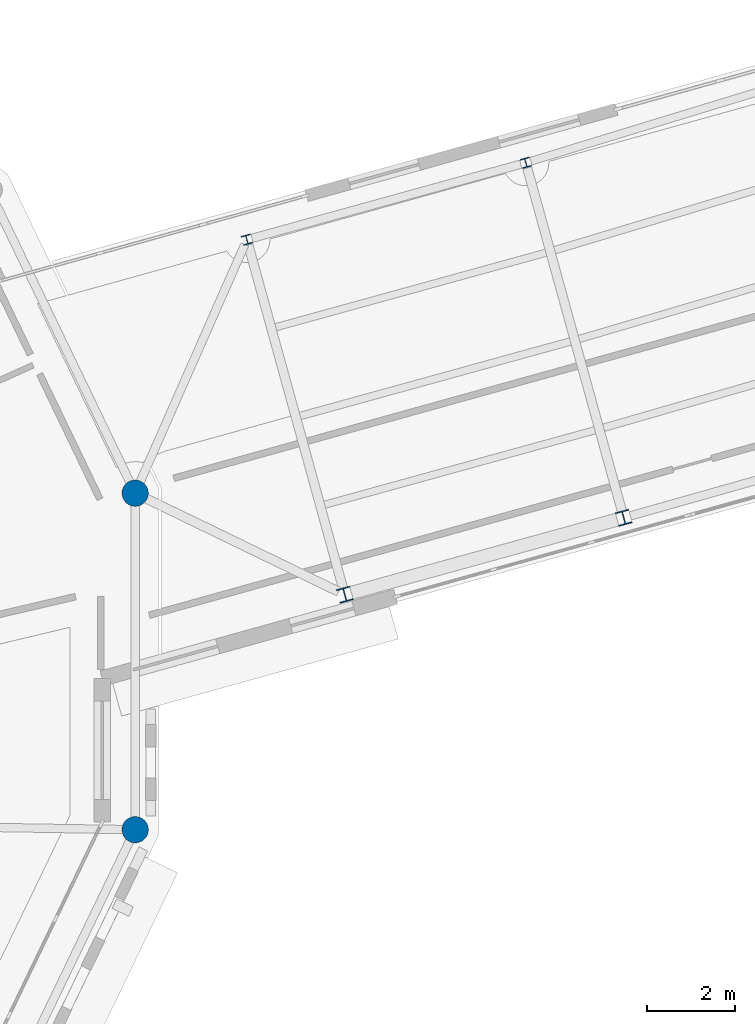
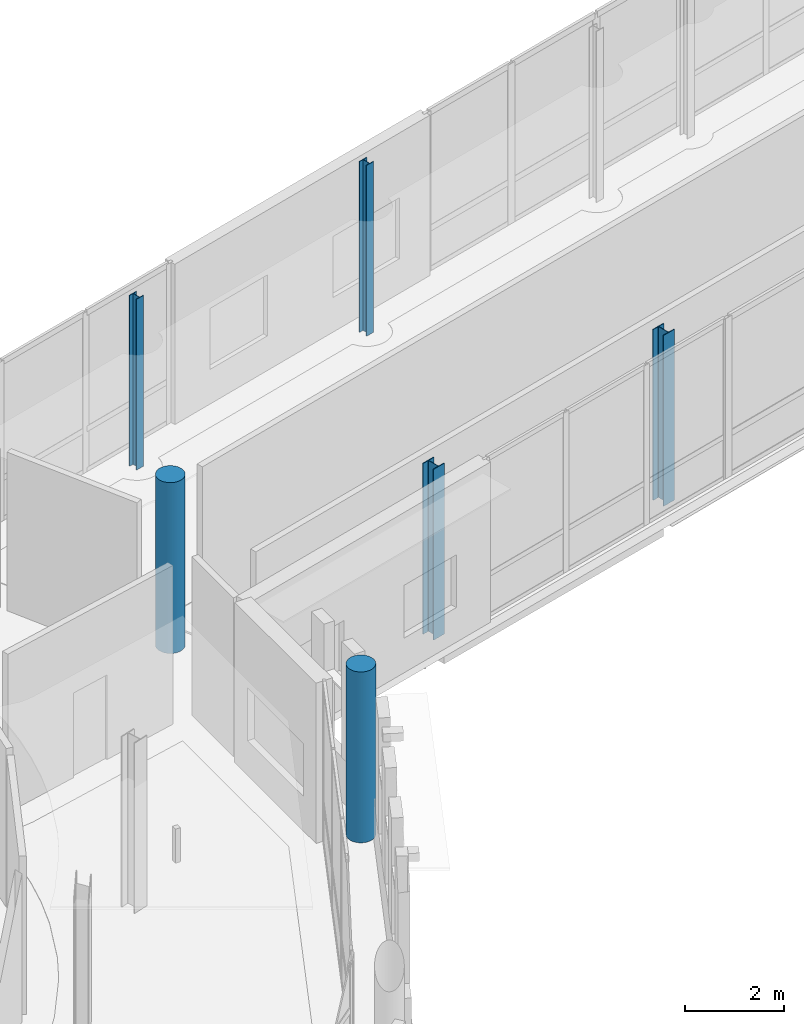
# One storey, part 2 of 125: 6 columns.
"""IFC4 building model written with IfcOpenShell, lengths in metres."""

from ifc_helpers import new_model, si_unit, direction, frame, origin, origin_2d, place, context, subcontext, project, spatial, circle, i_section, extrude, material, material_profile, profile_set, type_object, element, save


model = new_model("IFC4")

# Units and contexts
model_context = context("Model", 3, precision=1e-05, world=origin(), true_north=direction((0.0, 1.0)))
body_context = subcontext(model_context, "Body", "Model", "MODEL_VIEW")
ifc_project = project(units=[si_unit("LENGTHUNIT", "METRE"), si_unit("AREAUNIT", "SQUARE_METRE"), si_unit("VOLUMEUNIT", "CUBIC_METRE"), si_unit("PLANEANGLEUNIT", "RADIAN"), si_unit("MASSUNIT", "GRAM", prefix="KILO")], contexts=[model_context])

# Site, building, storey
site_placement = place(None, origin())
site = spatial("IfcSite", under=ifc_project, at=site_placement, CompositionType="ELEMENT")
building_placement = place(site_placement, origin())
building = spatial("IfcBuilding", under=site, at=building_placement, Name="Wrenclough Park School", CompositionType="ELEMENT")
storey_placement = place(building_placement, frame((0.0, 0.0, 4.199951171875)))
storey = spatial("IfcBuildingStorey", under=building, at=storey_placement, Name="L01", CompositionType="ELEMENT", Elevation=4.199951171875)

# Columns
ifc_material_1 = material(Name="Concrete C40/50", Category="concrete")
ifc_material_profile_1 = material_profile(ifc_material_1, circle(Radius=0.300048828125, at=origin_2d()), Name="RC COL D600")
ifc_profile_set_1 = profile_set([ifc_material_profile_1], Name="Concrete C40/50")
column_type_1 = type_object("IfcColumnType", Name="STR-COL-RCD600", PredefinedType="COLUMN", material=ifc_profile_set_1)
for number, where, z_axis, x_axis, name in (
    (1, (53.3173828125, 27.33837890625, 0.0), (0.0, 0.0, 1.0), (-0.222569549971, 0.974916814618, 0.0), "D2 L01 column D2-OUT-01"),
    (2, (53.3173828125, 19.66162109375, 0.0), (0.0, 0.0, 1.0), (0.222569549971, 0.974916814618, 0.0), "D2 L01 column D2-OUT-14"),
):
    element("IfcColumn", number, at=place(storey_placement, frame(where, z_axis=z_axis, x_axis=x_axis)), inside=storey, type_object=column_type_1, Name=name, PredefinedType="COLUMN", context=body_context, shape_type="SweptSolid", body=[
        extrude(circle(Radius=0.300048828125, at=origin_2d()), origin(), (0.0, 0.0, 1.0), 4.199951171875),
    ])
ifc_material_2 = material(Name="Structural steel S355", Category="steel")
ifc_material_profile_2 = material_profile(ifc_material_2, i_section(OverallWidth=0.205810546875, OverallDepth=0.209716796875, WebThickness=0.009521484375, FlangeThickness=0.01416015625, FilletRadius=0.01025390625, at=origin_2d()), Name="UKC 203x203x60")
ifc_profile_set_2 = profile_set([ifc_material_profile_2], Name="Structural steel S355")
column_type_2 = type_object("IfcColumnType", Name="STR-COL-UKC203B", PredefinedType="COLUMN", material=ifc_profile_set_2)
for number, where, z_axis, x_axis, name in (
    (3, (55.8662109375, 33.1201171875, 0.0), (0.0, 0.0, 1.0), (0.964002648928, 0.265892634084, 0.0), "W12 L01 column EAVE-ENTRANCE-B1"),
    (4, (62.228515625, 34.875, 0.0), (0.0, 0.0, 1.0), (0.964002648928, 0.265892634084, 0.0), "W12 L01 column EAVE-ENTRANCE-B2"),
):
    element("IfcColumn", number, at=place(storey_placement, frame(where, z_axis=z_axis, x_axis=x_axis)), inside=storey, type_object=column_type_2, Name=name, PredefinedType="COLUMN", context=body_context, shape_type="SweptSolid", body=[
        extrude(i_section(OverallWidth=0.205810546875, OverallDepth=0.209716796875, WebThickness=0.009521484375, FlangeThickness=0.01416015625, FilletRadius=0.01025390625, at=origin_2d()), origin(), (0.0, 0.0, 1.0), 4.199951171875),
    ])
ifc_material_profile_3 = material_profile(ifc_material_2, i_section(OverallWidth=0.307373046875, OverallDepth=0.314453125, WebThickness=0.011962890625, FlangeThickness=0.018798828125, FilletRadius=0.01513671875, at=origin_2d()), Name="UKC 305x305x118")
ifc_profile_set_3 = profile_set([ifc_material_profile_3], Name="Structural steel S355")
column_type_3 = type_object("IfcColumnType", Name="STR-COL-UKC305A", PredefinedType="COLUMN", material=ifc_profile_set_3)
for number, where, z_axis, x_axis, name in (
    (5, (58.099609375, 25.0224609375, 0.0), (0.0, 0.0, 1.0), (0.964002648928, 0.265892634084, 0.0), "W12 L01 column EAVE-ENTRANCE-F1"),
    (6, (64.462158203125, 26.77734375, 0.0), (0.0, 0.0, 1.0), (0.964002648928, 0.265892634084, 0.0), "W12 L01 column EAVE-ENTRANCE-F2"),
):
    element("IfcColumn", number, at=place(storey_placement, frame(where, z_axis=z_axis, x_axis=x_axis)), inside=storey, type_object=column_type_3, Name=name, PredefinedType="COLUMN", context=body_context, shape_type="SweptSolid", body=[
        extrude(i_section(OverallWidth=0.307373046875, OverallDepth=0.314453125, WebThickness=0.011962890625, FlangeThickness=0.018798828125, FilletRadius=0.01513671875, at=origin_2d()), origin(), (0.0, 0.0, 1.0), 4.199951171875),
    ])

save(model, "model.ifc")
